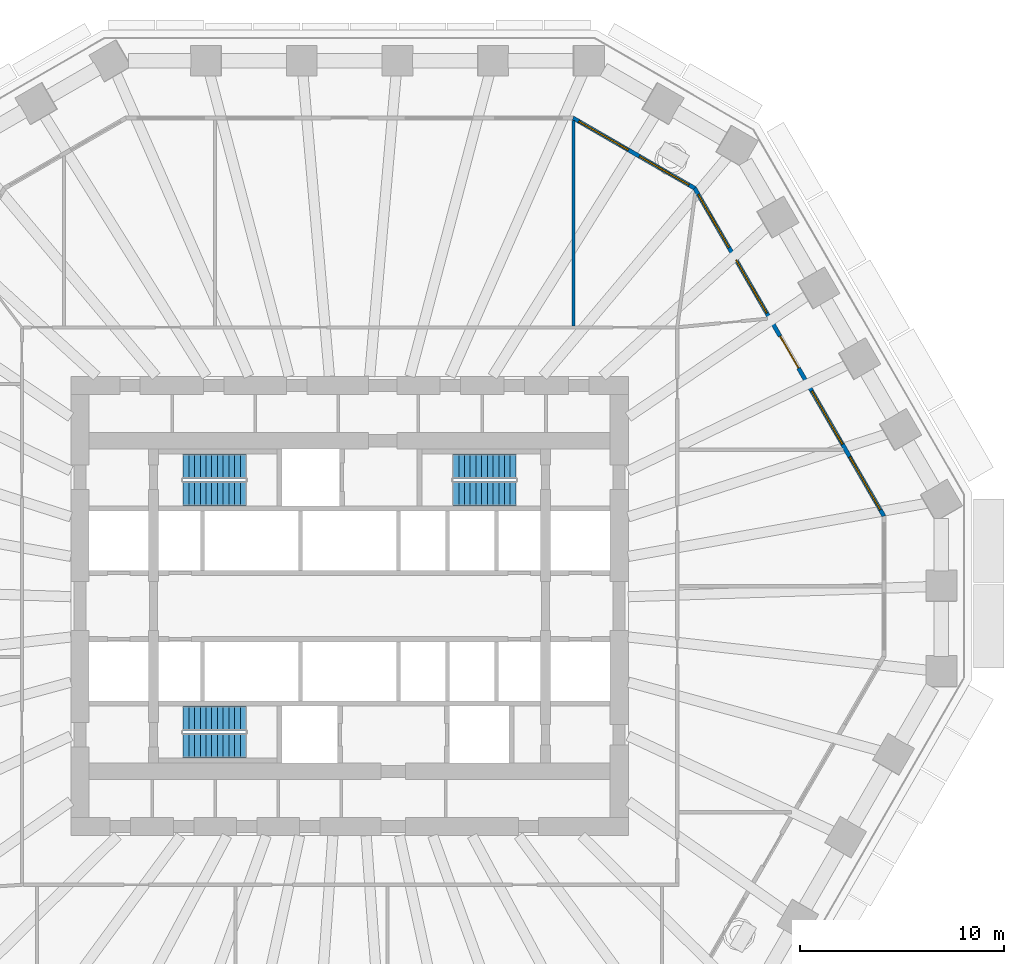
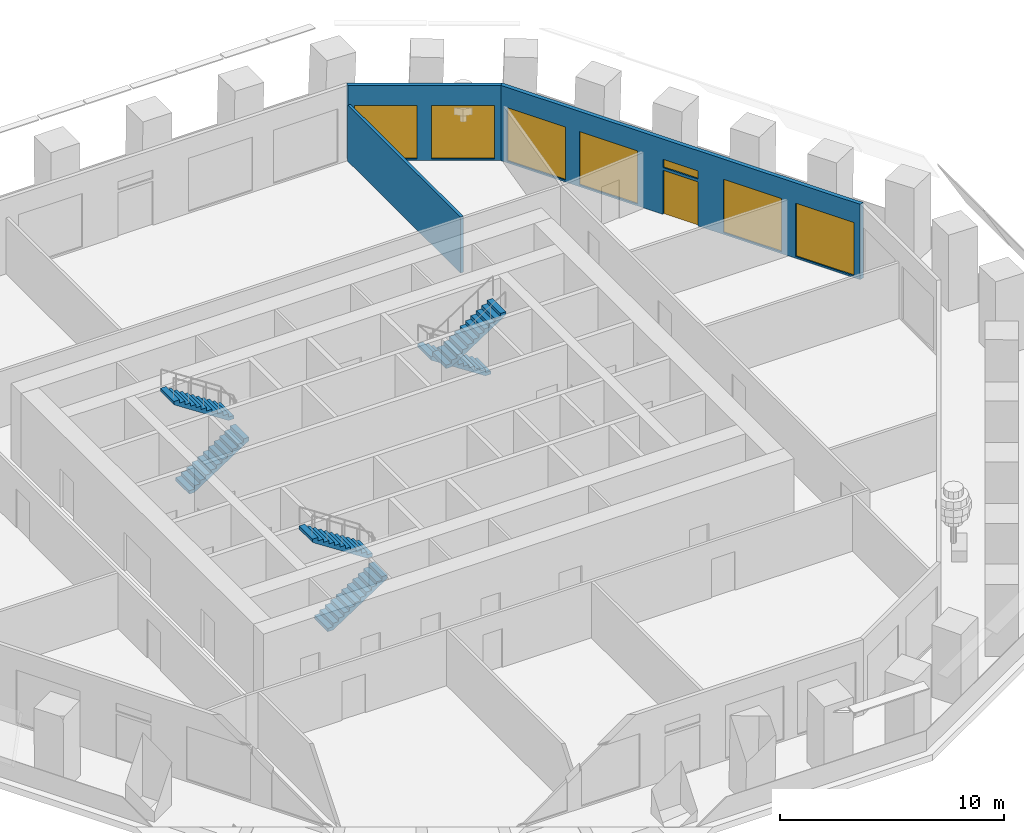
# One storey, part 8 of 12: 7 windows, 6 stair flights, 3 walls, 1 door, 8 openings, 3 elements without a shape of their own.
"""IFC4 building model written with IfcOpenShell, lengths in metres."""

import ifcopenshell
import ifcopenshell.guid

model = None  # the IFC model being written
_history = None  # IfcOwnerHistory: only IFC2X3 demands one
_inside = {}  # id of a spatial element -> (the spatial element, [elements in it])
_under = {}  # id of a project, library or spatial element -> (it, [spatial elements below it])
_declared = {}  # id of a project -> (the project, [libraries it declares])
_typed = {}  # id of a type object -> (the type object, [elements of that type])
_made_of = {}  # id of a material, layer set ... -> (it, [elements and type objects made of it])


def new_model(schema):
    """Start an empty IFC model of exactly this schema.

    Asked for "IFC4X3", IfcOpenShell would pick the latest addendum, in which some entities
    have other attributes; the version numbers below select the first issue.
    IFC2X3 requires an IfcOwnerHistory on every rooted entity: one is made here for all.
    """
    global model, _history
    if schema == "IFC4X3":
        model = ifcopenshell.file(schema_version=(4, 3, 0, 0))
    else:
        model = ifcopenshell.file(schema=schema)
    _inside.clear()
    _under.clear()
    _declared.clear()
    _typed.clear()
    _made_of.clear()
    _history = None
    if model.schema == "IFC2X3":
        org = make("IfcOrganization", Name="unknown")
        user = make(
            "IfcPersonAndOrganization",
            ThePerson=make("IfcPerson", FamilyName="unknown"),
            TheOrganization=org,
        )
        app = make(
            "IfcApplication",
            ApplicationDeveloper=org,
            Version="unknown",
            ApplicationFullName="unknown",
            ApplicationIdentifier="unknown",
        )
        _history = make(
            "IfcOwnerHistory",
            OwningUser=user,
            OwningApplication=app,
            ChangeAction="ADDED",
            CreationDate=0,
        )
    return model


def make(cls, **values):
    """One entity of the class cls with the attributes given. An attribute that is None is left unset."""
    return model.create_entity(
        cls, **{name: value for name, value in values.items() if value is not None}
    )


def rooted(cls, **values):
    """An entity with a GlobalId (a new one), such as an element, a storey or a relation."""
    return make(cls, GlobalId=ifcopenshell.guid.new(), OwnerHistory=_history, **values)


def si_unit(unit_type, name, prefix=None):
    """IfcSIUnit, for example si_unit("LENGTHUNIT", "METRE", prefix="MILLI")."""
    return make("IfcSIUnit", UnitType=unit_type, Prefix=prefix, Name=name)


def assignment(units):
    """IfcUnitAssignment: the units of a project."""
    return None if units is None else make("IfcUnitAssignment", Units=units)


def point(xyz):
    """IfcCartesianPoint."""
    return None if xyz is None else make("IfcCartesianPoint", Coordinates=xyz)


def direction(xyz):
    """IfcDirection."""
    return None if xyz is None else make("IfcDirection", DirectionRatios=xyz)


def frame(location, z_axis=None, x_axis=None):
    """IfcAxis2Placement3D, a coordinate frame: its origin and axes. An axis left out is left unset."""
    return make(
        "IfcAxis2Placement3D",
        Location=point(location),
        Axis=direction(z_axis),
        RefDirection=direction(x_axis),
    )


def frame_2d(location, x_axis=None):
    """IfcAxis2Placement2D, a coordinate frame in the plane: its origin and x axis."""
    return make(
        "IfcAxis2Placement2D", Location=point(location), RefDirection=direction(x_axis)
    )


def origin():
    """The frame at (0, 0, 0) with its axes left unset."""
    return frame((0.0, 0.0, 0.0))


def place(relative_to, where):
    """IfcLocalPlacement: puts the frame where relative to a parent placement (None: the world)."""
    return make(
        "IfcLocalPlacement", PlacementRelTo=relative_to, RelativePlacement=where
    )


def context(
    kind, dimensions, precision=None, world=None, true_north=None, identifier=None
):
    """IfcGeometricRepresentationContext, for example the 3D "Model" context."""
    return make(
        "IfcGeometricRepresentationContext",
        ContextIdentifier=identifier,
        ContextType=kind,
        CoordinateSpaceDimension=dimensions,
        Precision=precision,
        WorldCoordinateSystem=world,
        TrueNorth=true_north,
    )


def subcontext(parent, identifier, kind, view, scale=None):
    """IfcGeometricRepresentationSubContext, for example "Body" below "Model"."""
    return make(
        "IfcGeometricRepresentationSubContext",
        ContextIdentifier=identifier,
        ContextType=kind,
        ParentContext=parent,
        TargetScale=scale,
        TargetView=view,
    )


def project(units=None, contexts=None):
    """IfcProject with its units and contexts."""
    return rooted(
        "IfcProject",
        Name="project",
        RepresentationContexts=contexts,
        UnitsInContext=assignment(units),
    )


def spatial(cls, under=None, at=None, **own):
    """A site, building, storey or space (cls), placed at a placement, below another one or the project."""
    s = rooted(cls, ObjectPlacement=at, **own)
    if under is not None:
        _under.setdefault(under.id(), (under, []))[1].append(s)
    return s


def polyline(points):
    """IfcPolyline through the points."""
    return make("IfcPolyline", Points=[point(p) for p in points])


def profile(cls, at=None, kind="AREA", **sizes):
    """A parametric profile (cls). Its sizes go by their IFC names, for example OverallWidth=200.0."""
    return make(cls, ProfileType=kind, Position=at, **sizes)


def rectangle(**sizes):
    """IfcRectangleProfileDef."""
    return profile("IfcRectangleProfileDef", **sizes)


def outline(outer, holes=None, kind="AREA"):
    """IfcArbitraryClosedProfileDef: a profile drawn as a closed curve; with holes, ...WithVoids."""
    if holes is None:
        return make("IfcArbitraryClosedProfileDef", ProfileType=kind, OuterCurve=outer)
    return make(
        "IfcArbitraryProfileDefWithVoids",
        ProfileType=kind,
        OuterCurve=outer,
        InnerCurves=holes,
    )


def extrude(swept, where, along, depth):
    """IfcExtrudedAreaSolid: the profile swept, set in the frame where, extruded along a direction by depth."""
    return make(
        "IfcExtrudedAreaSolid",
        SweptArea=swept,
        Position=where,
        ExtrudedDirection=direction(along),
        Depth=depth,
    )


def shape(context_of_items, identifier, shape_type, items):
    """IfcShapeRepresentation: the items that make up one representation, for example the "Body"."""
    return make(
        "IfcShapeRepresentation",
        ContextOfItems=context_of_items,
        RepresentationIdentifier=identifier,
        RepresentationType=shape_type,
        Items=items,
    )


def material(Name=None, Category=None):
    """IfcMaterial."""
    return make("IfcMaterial", Name=Name, Category=Category)


def layer(
    of_material, thickness, ventilated=None, Name=None, Category=None, Priority=None
):
    """IfcMaterialLayer: one layer of a wall or slab, of a material (None: an air gap)."""
    return make(
        "IfcMaterialLayer",
        Material=of_material,
        LayerThickness=thickness,
        IsVentilated=ventilated,
        Name=Name,
        Category=Category,
        Priority=Priority,
    )


def layer_set(layers, Name=None):
    """IfcMaterialLayerSet."""
    return make("IfcMaterialLayerSet", MaterialLayers=layers, LayerSetName=Name)


def made_of(thing, what):
    """Note that an element or type object is made of a material, layer set ...; save() writes the relation."""
    if what is not None:
        _made_of.setdefault(what.id(), (what, []))[1].append(thing)
    return thing


def type_object(cls, material=None, **own):
    """A type object (cls), such as IfcWallType, which elements share."""
    return made_of(rooted(cls, **own), material)


def element(
    cls,
    number,
    at=None,
    inside=None,
    cuts=None,
    type_object=None,
    material=None,
    context=None,
    identifier="Body",
    shape_type=None,
    held_by="IfcProductDefinitionShape",
    body=None,
    shapes=None,
    **own,
):
    """One element of the class cls, such as IfcWall. Its Tag is "e" and its number.

    at: its placement. inside: the storey or other place that contains it. cuts: it is an
    opening in that element (IfcRelVoidsElement). A single representation is given by context,
    identifier, shape_type and body (its items); several are given by shapes. held_by: the class
    of the entity that holds the representations. save() writes the other relations.
    """
    e = rooted(cls, Tag="e%d" % number, ObjectPlacement=at, **own)
    if body is not None:
        shapes = [shape(context, identifier, shape_type, body)]
    if shapes is not None:
        e.Representation = make(held_by, Representations=shapes)
    if inside is not None:
        _inside.setdefault(inside.id(), (inside, []))[1].append(e)
    if cuts is not None:
        rooted(
            "IfcRelVoidsElement", RelatingBuildingElement=cuts, RelatedOpeningElement=e
        )
    if type_object is not None:
        _typed.setdefault(type_object.id(), (type_object, []))[1].append(e)
    return made_of(e, material)


def fill(opening, filler):
    """IfcRelFillsElement: the door or window that sits in an opening."""
    return rooted(
        "IfcRelFillsElement",
        RelatingOpeningElement=opening,
        RelatedBuildingElement=filler,
    )


def aggregate(whole, parts):
    """IfcRelAggregates: a whole, such as a stair, and the parts it consists of."""
    return rooted("IfcRelAggregates", RelatingObject=whole, RelatedObjects=parts)


def save(model, path):
    """Write the relations noted so far, then the file.

    IfcRelAggregates (storeys below a building ...), IfcRelContainedInSpatialStructure (elements
    in a storey), IfcRelDefinesByType, IfcRelAssociatesMaterial and IfcRelDeclares: one each for
    every whole, place, type object, material and project.
    """
    for whole, parts in _under.values():
        aggregate(whole, parts)
    for where, things in _inside.values():
        rooted(
            "IfcRelContainedInSpatialStructure",
            RelatedElements=things,
            RelatingStructure=where,
        )
    for kind, things in _typed.values():
        rooted("IfcRelDefinesByType", RelatedObjects=things, RelatingType=kind)
    for what, things in _made_of.values():
        rooted("IfcRelAssociatesMaterial", RelatedObjects=things, RelatingMaterial=what)
    for by, libraries in _declared.values():
        rooted("IfcRelDeclares", RelatingContext=by, RelatedDefinitions=libraries)
    model.write(path)


model = new_model("IFC4")

# Units and contexts
model_context = context("Model", 3, precision=1e-05, world=origin(), true_north=direction((0.0, 1.0)))
body_context = subcontext(model_context, "Body", "Model", "MODEL_VIEW")
ifc_project = project(units=[si_unit("LENGTHUNIT", "METRE"), si_unit("AREAUNIT", "SQUARE_METRE"), si_unit("VOLUMEUNIT", "CUBIC_METRE"), si_unit("PLANEANGLEUNIT", "RADIAN"), si_unit("MASSUNIT", "GRAM", prefix="KILO")], contexts=[model_context])

# Site, building, storey
site_placement = place(None, origin())
site = spatial("IfcSite", under=ifc_project, at=site_placement, CompositionType="ELEMENT")
building_placement = place(site_placement, origin())
building = spatial("IfcBuilding", under=site, at=building_placement, Name="Frailejon Research Tower", CompositionType="ELEMENT")
storey_placement = place(building_placement, frame((0.0, 0.0, 45.39990234375)))
storey = spatial("IfcBuildingStorey", under=building, at=storey_placement, Name="L10", CompositionType="ELEMENT", Elevation=45.39990234375)

# Wall
ifc_material_1 = material(Name="Gypsum board and masonry partition", Category="masonry")
ifc_layer_1 = layer(ifc_material_1, 0.14990234375)
ifc_layer_set_1 = layer_set([ifc_layer_1], Name="Laboratory partition, blockwork 150")
wall_type_1 = type_object("IfcWallType", Name="Laboratory partition, blockwork 150", PredefinedType="PARTITIONING", material=ifc_layer_set_1)
wall_1_placement = place(storey_placement, frame((10.97412109375, 13.72509765625, 0.0), z_axis=(0.0, 0.0, 1.0), x_axis=(0.0, 1.0, 0.0)))
element("IfcWall", 1, at=wall_1_placement, inside=storey, type_object=wall_type_1, Name="T:IW:L10:009", PredefinedType="PARTITIONING", context=body_context, shape_type="SweptSolid", body=[
    extrude(rectangle(XDim=10.0439453125, YDim=0.14990234375, at=frame_2d((5.02197265625, 0.0))), origin(), (0.0, 0.0, 1.0), 3.050048828125),
])

# Wall, openings, door, windows
ifc_material_2 = material(Name="Concrete C40/50 precast window wall panel", Category="concrete")
ifc_layer_2 = layer(ifc_material_2, 0.199951171875)
ifc_layer_set_2 = layer_set([ifc_layer_2], Name="Window wall 200")
wall_type_2 = type_object("IfcWallType", Name="Window wall 200", PredefinedType="SOLIDWALL", material=ifc_layer_set_2)
wall_2_placement = place(storey_placement, frame((26.171630859375, 4.4052734375, 0.0), z_axis=(0.0, 0.0, 1.0), x_axis=(-0.500000942564, 0.866024859594, 0.0)))
wall_2 = element("IfcWall", 2, at=wall_2_placement, inside=storey, type_object=wall_type_2, Name="Exterior wall L10", PredefinedType="SOLIDWALL", context=body_context, shape_type="SweptSolid", body=[
    extrude(outline(polyline([(-0.02685546875, -0.10009765625), (1.006103515625, -0.10009765625), (2.039306640625, -0.10009765625), (3.072265625, -0.10009765625), (4.10546875, -0.10009765625), (5.138427734375, -0.10009765625), (6.171630859375, -0.10009765625), (7.20458984375, -0.10009765625), (8.23779296875, -0.10009765625), (9.270751953125, -0.10009765625), (10.3037109375, -0.10009765625), (11.3369140625, -0.10009765625), (12.369873046875, -0.10009765625), (13.403076171875, -0.10009765625), (14.43603515625, -0.10009765625), (15.46923828125, -0.10009765625), (16.502197265625, -0.10009765625), (17.535400390625, -0.10009765625), (18.568359375, -0.10009765625), (18.5146484375, 0.10009765625), (17.487548828125, 0.10009765625), (16.46044921875, 0.10009765625), (15.433349609375, 0.10009765625), (14.40625, 0.10009765625), (13.379150390625, 0.10009765625), (12.35205078125, 0.10009765625), (11.324951171875, 0.10009765625), (10.2978515625, 0.10009765625), (9.270751953125, 0.10009765625), (8.24365234375, 0.10009765625), (7.216552734375, 0.10009765625), (6.189453125, 0.10009765625), (5.162353515625, 0.10009765625), (4.13525390625, 0.10009765625), (3.108154296875, 0.10009765625), (2.0810546875, 0.10009765625), (1.053955078125, 0.10009765625), (0.02685546875, 0.10009765625), (-0.02685546875, -0.10009765625)])), origin(), (0.0, 0.0, 1.0), 4.10009765625),
])
opening_1_placement = place(wall_2_placement, frame((0.354248046875, 0.0, 0.10009765625)))
opening_1 = element("IfcOpeningElement", 3, at=opening_1_placement, cuts=wall_2, Name="Opening W4", PredefinedType="OPENING", context=body_context, shape_type="SweptSolid", body=[
    extrude(rectangle(XDim=3.0, YDim=2.89990234375, at=frame_2d((1.5, 1.449951171875))), frame((0.0, 0.10986328125, 0.0), z_axis=(0.0, -1.0, 0.0), x_axis=(1.0, 0.0, 0.0)), (0.0, 0.0, 1.0), 0.219970703125),
])
opening_2_placement = place(wall_2_placement, frame((4.0625, 0.0, 0.10009765625)))
opening_2 = element("IfcOpeningElement", 4, at=opening_2_placement, cuts=wall_2, Name="Opening W4", PredefinedType="OPENING", context=body_context, shape_type="SweptSolid", body=[
    extrude(rectangle(XDim=3.0, YDim=2.89990234375, at=frame_2d((1.5, 1.449951171875))), frame((0.0, 0.10986328125, 0.0), z_axis=(0.0, -1.0, 0.0), x_axis=(1.0, 0.0, 0.0)), (0.0, 0.0, 1.0), 0.219970703125),
])
opening_3_placement = place(wall_2_placement, frame((8.370849609375, 0.0, 0.0)))
opening_3 = element("IfcOpeningElement", 5, at=opening_3_placement, cuts=wall_2, Name="Opening LG10-1", PredefinedType="OPENING", context=body_context, shape_type="SweptSolid", body=[
    extrude(rectangle(XDim=1.800048828125, YDim=2.39990234375, at=frame_2d((0.89990234375, 1.199951171875))), frame((0.0, 0.10986328125, 0.0), z_axis=(0.0, -1.0, 0.0), x_axis=(1.0, 0.0, 0.0)), (0.0, 0.0, 1.0), 0.219970703125),
])
opening_4_placement = place(wall_2_placement, frame((8.370849609375, 0.0, 2.550048828125)))
opening_4 = element("IfcOpeningElement", 6, at=opening_4_placement, cuts=wall_2, Name="Opening W1", PredefinedType="OPENING", context=body_context, shape_type="SweptSolid", body=[
    extrude(rectangle(XDim=1.800048828125, YDim=0.449951171875, at=frame_2d((0.89990234375, 0.22509765625))), frame((0.0, 0.10986328125, 0.0), z_axis=(0.0, -1.0, 0.0), x_axis=(1.0, 0.0, 0.0)), (0.0, 0.0, 1.0), 0.219970703125),
])
opening_5_placement = place(wall_2_placement, frame((11.47900390625, 0.0, 0.10009765625)))
opening_5 = element("IfcOpeningElement", 7, at=opening_5_placement, cuts=wall_2, Name="Opening W4", PredefinedType="OPENING", context=body_context, shape_type="SweptSolid", body=[
    extrude(rectangle(XDim=3.0, YDim=2.89990234375, at=frame_2d((1.5, 1.449951171875))), frame((0.0, 0.10986328125, 0.0), z_axis=(0.0, -1.0, 0.0), x_axis=(1.0, 0.0, 0.0)), (0.0, 0.0, 1.0), 0.219970703125),
])
opening_6_placement = place(wall_2_placement, frame((15.1875, 0.0, 0.10009765625)))
opening_6 = element("IfcOpeningElement", 8, at=opening_6_placement, cuts=wall_2, Name="Opening W4", PredefinedType="OPENING", context=body_context, shape_type="SweptSolid", body=[
    extrude(rectangle(XDim=3.0, YDim=2.89990234375, at=frame_2d((1.5, 1.449951171875))), frame((0.0, 0.10986328125, 0.0), z_axis=(0.0, -1.0, 0.0), x_axis=(1.0, 0.0, 0.0)), (0.0, 0.0, 1.0), 0.219970703125),
])
ifc_material_3 = material(Name="Aluminium framed glazed door leaf", Category="aluminium")
door_type = type_object("IfcDoorType", Name="Loggia door 1800x2400", OperationType="DOUBLE_DOOR_SINGLE_SWING", PredefinedType="DOOR", material=ifc_material_3)
door_placement = place(opening_3_placement, origin())
door = element("IfcDoor", 9, at=door_placement, inside=storey, type_object=door_type, Name="Door LG10-1", OperationType="DOUBLE_DOOR_SINGLE_SWING", OverallHeight=2.39990234375, OverallWidth=1.800048828125, PredefinedType="DOOR", context=body_context, shape_type="SweptSolid", body=[
    extrude(rectangle(XDim=1.800048828125, YDim=2.39990234375, at=frame_2d((0.89990234375, 1.199951171875))), frame((0.0, 0.02490234375, 0.0), z_axis=(0.0, -1.0, 0.0), x_axis=(1.0, 0.0, 0.0)), (0.0, 0.0, 1.0), 0.050048828125),
])
fill(opening_3, door)
ifc_material_4 = material(Name="Aluminium framed double glazing", Category="aluminium")
window_type_1 = type_object("IfcWindowType", Name="Window 1800x450", PartitioningType="SINGLE_PANEL", PredefinedType="WINDOW", material=ifc_material_4)
window_1_placement = place(opening_4_placement, origin())
window_1 = element("IfcWindow", 10, at=window_1_placement, inside=storey, type_object=window_type_1, Name="Window L10", OverallHeight=0.449951171875, OverallWidth=1.800048828125, PartitioningType="SINGLE_PANEL", PredefinedType="WINDOW", context=body_context, shape_type="SweptSolid", body=[
    extrude(rectangle(XDim=1.800048828125, YDim=0.449951171875, at=frame_2d((0.89990234375, 0.22509765625))), frame((0.0, 0.030029296875, 0.0), z_axis=(0.0, -1.0, 0.0), x_axis=(1.0, 0.0, 0.0)), (0.0, 0.0, 1.0), 0.06005859375),
])
fill(opening_4, window_1)
ifc_material_5 = material(Name="Aluminium framed double glazing", Category="aluminium")
window_type_2 = type_object("IfcWindowType", Name="Window 3000x2900", PartitioningType="SINGLE_PANEL", PredefinedType="WINDOW", material=ifc_material_5)
window_2_placement = place(opening_1_placement, origin())
window_2 = element("IfcWindow", 11, at=window_2_placement, inside=storey, type_object=window_type_2, Name="Window L10", OverallHeight=2.89990234375, OverallWidth=3.0, PartitioningType="SINGLE_PANEL", PredefinedType="WINDOW", context=body_context, shape_type="SweptSolid", body=[
    extrude(rectangle(XDim=3.0, YDim=2.89990234375, at=frame_2d((1.5, 1.449951171875))), frame((0.0, 0.030029296875, 0.0), z_axis=(0.0, -1.0, 0.0), x_axis=(1.0, 0.0, 0.0)), (0.0, 0.0, 1.0), 0.06005859375),
])
fill(opening_1, window_2)
window_3_placement = place(opening_2_placement, origin())
window_3 = element("IfcWindow", 12, at=window_3_placement, inside=storey, type_object=window_type_2, Name="Window L10", OverallHeight=2.89990234375, OverallWidth=3.0, PartitioningType="SINGLE_PANEL", PredefinedType="WINDOW", context=body_context, shape_type="SweptSolid", body=[
    extrude(rectangle(XDim=3.0, YDim=2.89990234375, at=frame_2d((1.5, 1.449951171875))), frame((0.0, 0.030029296875, 0.0), z_axis=(0.0, -1.0, 0.0), x_axis=(1.0, 0.0, 0.0)), (0.0, 0.0, 1.0), 0.06005859375),
])
fill(opening_2, window_3)
window_4_placement = place(opening_5_placement, origin())
window_4 = element("IfcWindow", 13, at=window_4_placement, inside=storey, type_object=window_type_2, Name="Window L10", OverallHeight=2.89990234375, OverallWidth=3.0, PartitioningType="SINGLE_PANEL", PredefinedType="WINDOW", context=body_context, shape_type="SweptSolid", body=[
    extrude(rectangle(XDim=3.0, YDim=2.89990234375, at=frame_2d((1.5, 1.449951171875))), frame((0.0, 0.030029296875, 0.0), z_axis=(0.0, -1.0, 0.0), x_axis=(1.0, 0.0, 0.0)), (0.0, 0.0, 1.0), 0.06005859375),
])
fill(opening_5, window_4)
window_5_placement = place(opening_6_placement, origin())
window_5 = element("IfcWindow", 14, at=window_5_placement, inside=storey, type_object=window_type_2, Name="Window L10", OverallHeight=2.89990234375, OverallWidth=3.0, PartitioningType="SINGLE_PANEL", PredefinedType="WINDOW", context=body_context, shape_type="SweptSolid", body=[
    extrude(rectangle(XDim=3.0, YDim=2.89990234375, at=frame_2d((1.5, 1.449951171875))), frame((0.0, 0.030029296875, 0.0), z_axis=(0.0, -1.0, 0.0), x_axis=(1.0, 0.0, 0.0)), (0.0, 0.0, 1.0), 0.06005859375),
])
fill(opening_6, window_5)

# Wall, openings, windows
wall_3_placement = place(storey_placement, frame((16.90087890625, 20.462646484375, 0.0), z_axis=(0.0, 0.0, 1.0), x_axis=(-0.866029458321, 0.49999297727, 0.0)))
wall_3 = element("IfcWall", 15, at=wall_3_placement, inside=storey, type_object=wall_type_2, Name="Exterior wall L10", PredefinedType="SOLIDWALL", context=body_context, shape_type="SweptSolid", body=[
    extrude(outline(polyline([(-0.02685546875, -0.10009765625), (1.1279296875, -0.10009765625), (2.282470703125, -0.10009765625), (3.437255859375, -0.10009765625), (4.592041015625, -0.10009765625), (5.74658203125, -0.10009765625), (6.9013671875, -0.10009765625), (6.84765625, 0.10009765625), (5.7109375, 0.10009765625), (4.573974609375, 0.10009765625), (3.437255859375, 0.10009765625), (2.300537109375, 0.10009765625), (1.16357421875, 0.10009765625), (0.02685546875, 0.10009765625), (-0.02685546875, -0.10009765625)])), origin(), (0.0, 0.0, 1.0), 4.10009765625),
])
opening_7_placement = place(wall_3_placement, frame((0.318603515625, 0.0, 0.10009765625)))
opening_7 = element("IfcOpeningElement", 16, at=opening_7_placement, cuts=wall_3, Name="Opening W3", PredefinedType="OPENING", context=body_context, shape_type="SweptSolid", body=[
    extrude(rectangle(XDim=2.800048828125, YDim=2.89990234375, at=frame_2d((1.39990234375, 1.449951171875))), frame((0.0, 0.10986328125, 0.0), z_axis=(0.0, -1.0, 0.0), x_axis=(1.0, 0.0, 0.0)), (0.0, 0.0, 1.0), 0.219970703125),
])
opening_8_placement = place(wall_3_placement, frame((3.756103515625, 0.0, 0.10009765625)))
opening_8 = element("IfcOpeningElement", 17, at=opening_8_placement, cuts=wall_3, Name="Opening W3", PredefinedType="OPENING", context=body_context, shape_type="SweptSolid", body=[
    extrude(rectangle(XDim=2.800048828125, YDim=2.89990234375, at=frame_2d((1.39990234375, 1.449951171875))), frame((0.0, 0.10986328125, 0.0), z_axis=(0.0, -1.0, 0.0), x_axis=(1.0, 0.0, 0.0)), (0.0, 0.0, 1.0), 0.219970703125),
])
ifc_material_6 = material(Name="Aluminium framed double glazing", Category="aluminium")
window_type_3 = type_object("IfcWindowType", Name="Window 2800x2900", PartitioningType="SINGLE_PANEL", PredefinedType="WINDOW", material=ifc_material_6)
window_6_placement = place(opening_7_placement, origin())
window_6 = element("IfcWindow", 18, at=window_6_placement, inside=storey, type_object=window_type_3, Name="Window L10", OverallHeight=2.89990234375, OverallWidth=2.800048828125, PartitioningType="SINGLE_PANEL", PredefinedType="WINDOW", context=body_context, shape_type="SweptSolid", body=[
    extrude(rectangle(XDim=2.800048828125, YDim=2.89990234375, at=frame_2d((1.39990234375, 1.449951171875))), frame((0.0, 0.030029296875, 0.0), z_axis=(0.0, -1.0, 0.0), x_axis=(1.0, 0.0, 0.0)), (0.0, 0.0, 1.0), 0.06005859375),
])
fill(opening_7, window_6)
window_7_placement = place(opening_8_placement, origin())
window_7 = element("IfcWindow", 19, at=window_7_placement, inside=storey, type_object=window_type_3, Name="Window L10", OverallHeight=2.89990234375, OverallWidth=2.800048828125, PartitioningType="SINGLE_PANEL", PredefinedType="WINDOW", context=body_context, shape_type="SweptSolid", body=[
    extrude(rectangle(XDim=2.800048828125, YDim=2.89990234375, at=frame_2d((1.39990234375, 1.449951171875))), frame((0.0, 0.030029296875, 0.0), z_axis=(0.0, -1.0, 0.0), x_axis=(1.0, 0.0, 0.0)), (0.0, 0.0, 1.0), 0.06005859375),
])
fill(opening_8, window_7)

# Stair, stair flights
ifc_material_7 = material(Name="Concrete C50/60", Category="concrete")
stair_type = type_object("IfcStairType", Name="Exit stair 24 risers", PredefinedType="HALF_TURN_STAIR", material=ifc_material_7)
stair_1_placement = place(storey_placement, origin())
stair_1 = element("IfcStair", 20, at=stair_1_placement, inside=storey, type_object=stair_type, Name="L10 Exit stair ST1", PredefinedType="HALF_TURN_STAIR")
ifc_material_8 = material(Name="Concrete C50/60", Category="concrete")
ifc_layer_3 = layer(ifc_material_8, 0.14990234375)
ifc_layer_set_3 = layer_set([ifc_layer_3], Name="Stair flight 12 risers")
stair_flight_type = type_object("IfcStairFlightType", Name="Stair flight 12 risers", PredefinedType="STRAIGHT", material=ifc_layer_set_3)
stair_flight_1_placement = place(storey_placement, frame((-8.14990234375, 5.5, 0.0), z_axis=(0.0, 0.0, 1.0), x_axis=(1.0, 0.0, 0.0)))
stair_flight_1 = element("IfcStairFlight", 21, at=stair_flight_1_placement, type_object=stair_flight_type, Name="ST1 flight 1", NumberOfRisers=12, NumberOfTreads=11, PredefinedType="STRAIGHT", RiserHeight=0.183333333, TreadLength=0.28, context=body_context, shape_type="SweptSolid", body=[
    extrude(outline(polyline([(0.0, 0.0), (0.0, 0.183349609375), (0.280029296875, 0.183349609375), (0.280029296875, 0.36669921875), (0.56005859375, 0.36669921875), (0.56005859375, 0.550048828125), (0.840087890625, 0.550048828125), (0.840087890625, 0.7333984375), (1.1201171875, 0.7333984375), (1.1201171875, 0.916748046875), (1.39990234375, 0.916748046875), (1.39990234375, 1.10009765625), (1.679931640625, 1.10009765625), (1.679931640625, 1.283447265625), (1.9599609375, 1.283447265625), (1.9599609375, 1.466552734375), (2.239990234375, 1.466552734375), (2.239990234375, 1.64990234375), (2.52001953125, 1.64990234375), (2.52001953125, 1.833251953125), (2.800048828125, 1.833251953125), (2.800048828125, 2.0166015625), (3.080078125, 2.0166015625), (3.080078125, 2.199951171875), (3.080078125, 1.83740234375), (0.273681640625, 0.0), (0.0, 0.0)])), frame((0.0, 0.60009765625, 0.0), z_axis=(0.0, -1.0, 0.0), x_axis=(1.0, 0.0, 0.0)), (0.0, 0.0, 1.0), 1.199951171875),
])
stair_flight_2_placement = place(storey_placement, frame((-5.070068359375, 6.85009765625, 2.2001953125), z_axis=(0.0, 0.0, 1.0), x_axis=(-1.0, 0.0, 0.0)))
stair_flight_2 = element("IfcStairFlight", 22, at=stair_flight_2_placement, type_object=stair_flight_type, Name="ST1 flight 2", NumberOfRisers=12, NumberOfTreads=11, PredefinedType="STRAIGHT", RiserHeight=0.183333333, TreadLength=0.28, context=body_context, shape_type="SweptSolid", body=[
    extrude(outline(polyline([(0.0, 0.0), (0.0, 0.183349609375), (0.280029296875, 0.183349609375), (0.280029296875, 0.36669921875), (0.56005859375, 0.36669921875), (0.56005859375, 0.550048828125), (0.840087890625, 0.550048828125), (0.840087890625, 0.7333984375), (1.1201171875, 0.7333984375), (1.1201171875, 0.916748046875), (1.39990234375, 0.916748046875), (1.39990234375, 1.10009765625), (1.679931640625, 1.10009765625), (1.679931640625, 1.283447265625), (1.9599609375, 1.283447265625), (1.9599609375, 1.466552734375), (2.239990234375, 1.466552734375), (2.239990234375, 1.64990234375), (2.52001953125, 1.64990234375), (2.52001953125, 1.833251953125), (2.800048828125, 1.833251953125), (2.800048828125, 2.0166015625), (3.080078125, 2.0166015625), (3.080078125, 2.199951171875), (3.080078125, 1.83740234375), (0.273681640625, 0.0), (0.0, 0.0)])), frame((0.0, 0.60009765625, 0.0), z_axis=(0.0, -1.0, 0.0), x_axis=(1.0, 0.0, 0.0)), (0.0, 0.0, 1.0), 1.199951171875),
])
aggregate(stair_1, [stair_flight_1, stair_flight_2])

stair_2_placement = place(storey_placement, origin())
stair_2 = element("IfcStair", 23, at=stair_2_placement, inside=storey, type_object=stair_type, Name="L10 Exit stair ST2", PredefinedType="HALF_TURN_STAIR")
stair_flight_3_placement = place(storey_placement, frame((-8.14990234375, -6.85009765625, 0.0), z_axis=(0.0, 0.0, 1.0), x_axis=(1.0, 0.0, 0.0)))
stair_flight_3 = element("IfcStairFlight", 24, at=stair_flight_3_placement, type_object=stair_flight_type, Name="ST2 flight 1", NumberOfRisers=12, NumberOfTreads=11, PredefinedType="STRAIGHT", RiserHeight=0.183333333, TreadLength=0.28, context=body_context, shape_type="SweptSolid", body=[
    extrude(outline(polyline([(0.0, 0.0), (0.0, 0.183349609375), (0.280029296875, 0.183349609375), (0.280029296875, 0.36669921875), (0.56005859375, 0.36669921875), (0.56005859375, 0.550048828125), (0.840087890625, 0.550048828125), (0.840087890625, 0.7333984375), (1.1201171875, 0.7333984375), (1.1201171875, 0.916748046875), (1.39990234375, 0.916748046875), (1.39990234375, 1.10009765625), (1.679931640625, 1.10009765625), (1.679931640625, 1.283447265625), (1.9599609375, 1.283447265625), (1.9599609375, 1.466552734375), (2.239990234375, 1.466552734375), (2.239990234375, 1.64990234375), (2.52001953125, 1.64990234375), (2.52001953125, 1.833251953125), (2.800048828125, 1.833251953125), (2.800048828125, 2.0166015625), (3.080078125, 2.0166015625), (3.080078125, 2.199951171875), (3.080078125, 1.83740234375), (0.273681640625, 0.0), (0.0, 0.0)])), frame((0.0, 0.60009765625, 0.0), z_axis=(0.0, -1.0, 0.0), x_axis=(1.0, 0.0, 0.0)), (0.0, 0.0, 1.0), 1.199951171875),
])
stair_flight_4_placement = place(storey_placement, frame((-5.070068359375, -5.5, 2.2001953125), z_axis=(0.0, 0.0, 1.0), x_axis=(-1.0, 0.0, 0.0)))
stair_flight_4 = element("IfcStairFlight", 25, at=stair_flight_4_placement, type_object=stair_flight_type, Name="ST2 flight 2", NumberOfRisers=12, NumberOfTreads=11, PredefinedType="STRAIGHT", RiserHeight=0.183333333, TreadLength=0.28, context=body_context, shape_type="SweptSolid", body=[
    extrude(outline(polyline([(0.0, 0.0), (0.0, 0.183349609375), (0.280029296875, 0.183349609375), (0.280029296875, 0.36669921875), (0.56005859375, 0.36669921875), (0.56005859375, 0.550048828125), (0.840087890625, 0.550048828125), (0.840087890625, 0.7333984375), (1.1201171875, 0.7333984375), (1.1201171875, 0.916748046875), (1.39990234375, 0.916748046875), (1.39990234375, 1.10009765625), (1.679931640625, 1.10009765625), (1.679931640625, 1.283447265625), (1.9599609375, 1.283447265625), (1.9599609375, 1.466552734375), (2.239990234375, 1.466552734375), (2.239990234375, 1.64990234375), (2.52001953125, 1.64990234375), (2.52001953125, 1.833251953125), (2.800048828125, 1.833251953125), (2.800048828125, 2.0166015625), (3.080078125, 2.0166015625), (3.080078125, 2.199951171875), (3.080078125, 1.83740234375), (0.273681640625, 0.0), (0.0, 0.0)])), frame((0.0, 0.60009765625, 0.0), z_axis=(0.0, -1.0, 0.0), x_axis=(1.0, 0.0, 0.0)), (0.0, 0.0, 1.0), 1.199951171875),
])
aggregate(stair_2, [stair_flight_3, stair_flight_4])

stair_3_placement = place(storey_placement, origin())
stair_3 = element("IfcStair", 26, at=stair_3_placement, inside=storey, type_object=stair_type, Name="L10 Exit stair ST3", PredefinedType="HALF_TURN_STAIR")
stair_flight_5_placement = place(storey_placement, frame((8.14990234375, 6.85009765625, 0.0), z_axis=(0.0, 0.0, 1.0), x_axis=(-1.0, 0.0, 0.0)))
stair_flight_5 = element("IfcStairFlight", 27, at=stair_flight_5_placement, type_object=stair_flight_type, Name="ST3 flight 1", NumberOfRisers=12, NumberOfTreads=11, PredefinedType="STRAIGHT", RiserHeight=0.183333333, TreadLength=0.28, context=body_context, shape_type="SweptSolid", body=[
    extrude(outline(polyline([(0.0, 0.0), (0.0, 0.183349609375), (0.280029296875, 0.183349609375), (0.280029296875, 0.36669921875), (0.56005859375, 0.36669921875), (0.56005859375, 0.550048828125), (0.840087890625, 0.550048828125), (0.840087890625, 0.7333984375), (1.1201171875, 0.7333984375), (1.1201171875, 0.916748046875), (1.39990234375, 0.916748046875), (1.39990234375, 1.10009765625), (1.679931640625, 1.10009765625), (1.679931640625, 1.283447265625), (1.9599609375, 1.283447265625), (1.9599609375, 1.466552734375), (2.239990234375, 1.466552734375), (2.239990234375, 1.64990234375), (2.52001953125, 1.64990234375), (2.52001953125, 1.833251953125), (2.800048828125, 1.833251953125), (2.800048828125, 2.0166015625), (3.080078125, 2.0166015625), (3.080078125, 2.199951171875), (3.080078125, 1.83740234375), (0.273681640625, 0.0), (0.0, 0.0)])), frame((0.0, 0.60009765625, 0.0), z_axis=(0.0, -1.0, 0.0), x_axis=(1.0, 0.0, 0.0)), (0.0, 0.0, 1.0), 1.199951171875),
])
stair_flight_6_placement = place(storey_placement, frame((5.070068359375, 5.5, 2.2001953125), z_axis=(0.0, 0.0, 1.0), x_axis=(1.0, 0.0, 0.0)))
stair_flight_6 = element("IfcStairFlight", 28, at=stair_flight_6_placement, type_object=stair_flight_type, Name="ST3 flight 2", NumberOfRisers=12, NumberOfTreads=11, PredefinedType="STRAIGHT", RiserHeight=0.183333333, TreadLength=0.28, context=body_context, shape_type="SweptSolid", body=[
    extrude(outline(polyline([(0.0, 0.0), (0.0, 0.183349609375), (0.280029296875, 0.183349609375), (0.280029296875, 0.36669921875), (0.56005859375, 0.36669921875), (0.56005859375, 0.550048828125), (0.840087890625, 0.550048828125), (0.840087890625, 0.7333984375), (1.1201171875, 0.7333984375), (1.1201171875, 0.916748046875), (1.39990234375, 0.916748046875), (1.39990234375, 1.10009765625), (1.679931640625, 1.10009765625), (1.679931640625, 1.283447265625), (1.9599609375, 1.283447265625), (1.9599609375, 1.466552734375), (2.239990234375, 1.466552734375), (2.239990234375, 1.64990234375), (2.52001953125, 1.64990234375), (2.52001953125, 1.833251953125), (2.800048828125, 1.833251953125), (2.800048828125, 2.0166015625), (3.080078125, 2.0166015625), (3.080078125, 2.199951171875), (3.080078125, 1.83740234375), (0.273681640625, 0.0), (0.0, 0.0)])), frame((0.0, 0.60009765625, 0.0), z_axis=(0.0, -1.0, 0.0), x_axis=(1.0, 0.0, 0.0)), (0.0, 0.0, 1.0), 1.199951171875),
])
aggregate(stair_3, [stair_flight_5, stair_flight_6])

save(model, "model.ifc")
